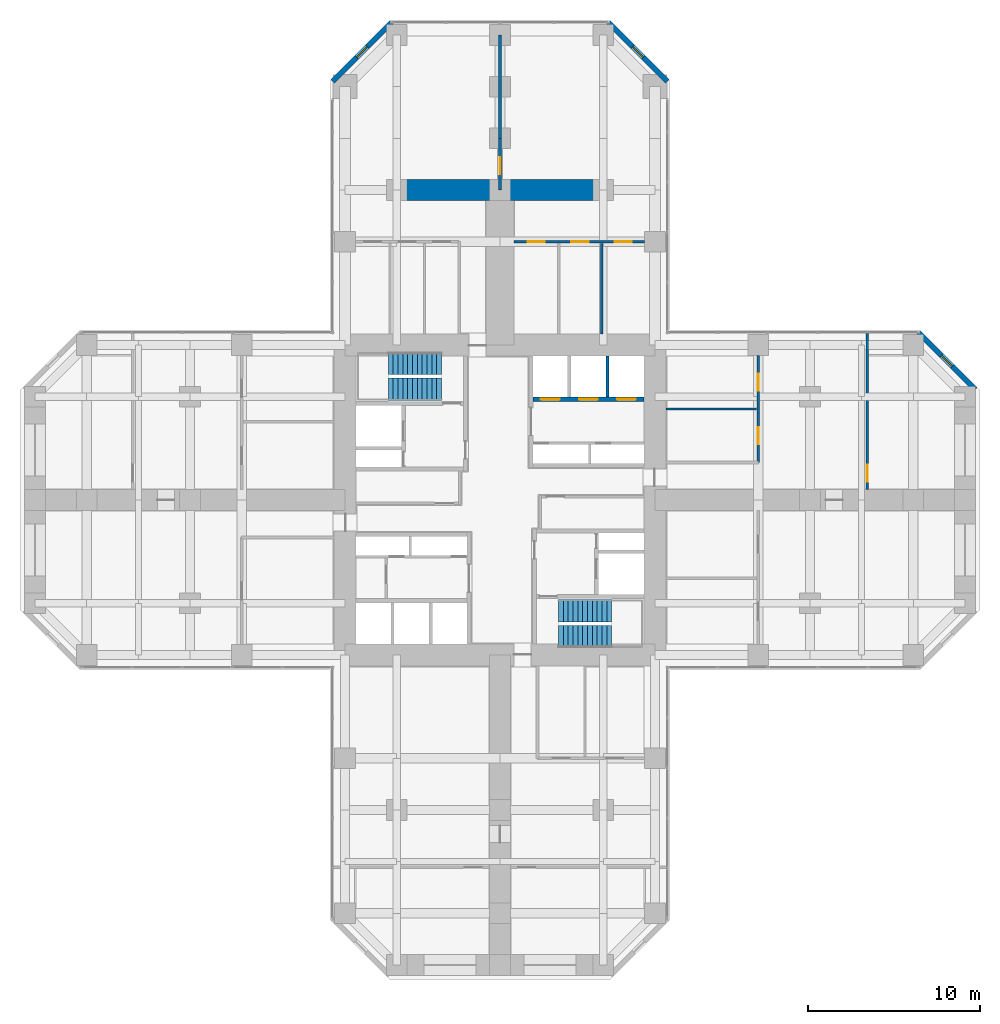
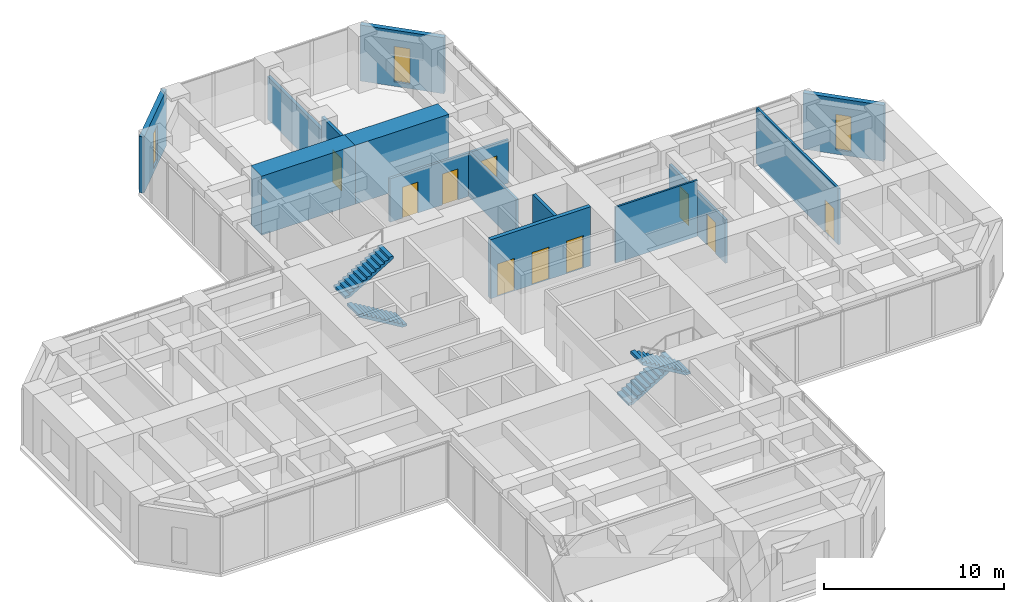
# One storey, part 11 of 12: 14 walls, 10 doors, 4 stair flights, 3 windows, 13 openings, 2 elements without a shape of their own.
"""IFC4 building model written with IfcOpenShell, lengths in metres."""

from ifc_helpers import new_model, si_unit, direction, frame, frame_2d, origin, place, context, subcontext, project, spatial, polyline, rectangle, hollow_rectangle, outline, extrude, material, layer, layer_set, constituent, constituent_set, type_object, element, fill, aggregate, save


model = new_model("IFC4")

# Units and contexts
model_context = context("Model", 3, precision=1e-05, world=origin(), true_north=direction((0.0, 1.0)))
body_context = subcontext(model_context, "Body", "Model", "MODEL_VIEW")
ifc_project = project(units=[si_unit("LENGTHUNIT", "METRE"), si_unit("AREAUNIT", "SQUARE_METRE"), si_unit("VOLUMEUNIT", "CUBIC_METRE"), si_unit("PLANEANGLEUNIT", "RADIAN"), si_unit("MASSUNIT", "GRAM", prefix="KILO")], contexts=[model_context])

# Site, building, storey
site_placement = place(None, origin())
site = spatial("IfcSite", under=ifc_project, at=site_placement, CompositionType="ELEMENT")
building_placement = place(site_placement, origin())
building = spatial("IfcBuilding", under=site, at=building_placement, Name="Torre Cruceta", CompositionType="ELEMENT")
storey_placement = place(building_placement, frame((0.0, 0.0, 83.5)))
storey = spatial("IfcBuildingStorey", under=building, at=storey_placement, Name="L20", CompositionType="ELEMENT", Elevation=83.5)

# Wall, openings, doors
ifc_material_1 = material(Name="Concrete G60 (fck 60 MPa)", Category="concrete")
ifc_layer_1 = layer(ifc_material_1, 0.25)
ifc_layer_set_1 = layer_set([ifc_layer_1], Name="Concrete G60 (fck 60 MPa)")
wall_type_1 = type_object("IfcWallType", Name="CORE INNER WALL 250 G60", PredefinedType="SHEAR", material=ifc_layer_set_1)
wall_1_placement = place(storey_placement, frame((1.925048828125, 5.85009765625, 0.0), z_axis=(0.0, 0.0, 1.0), x_axis=(1.0, 0.0, 0.0)))
wall_1 = element("IfcWall", 1, at=wall_1_placement, inside=storey, type_object=wall_type_1, Name="CW4 L20 NE-LV", PredefinedType="SHEAR", context=body_context, shape_type="SweptSolid", body=[
    extrude(rectangle(XDim=6.425048828125, YDim=0.25, at=frame_2d((3.21240234375, 0.0))), origin(), (0.0, 0.0, 1.0), 4.0),
])
opening_1_placement = place(wall_1_placement, frame((0.4541015625, 0.0, 0.0)))
opening_1 = element("IfcOpeningElement", 2, at=opening_1_placement, cuts=wall_1, Name="Opening LD1", PredefinedType="OPENING", context=body_context, shape_type="SweptSolid", body=[
    extrude(rectangle(XDim=1.10009765625, YDim=2.199951171875, at=frame_2d((0.550048828125, 1.10009765625))), frame((0.0, 0.135009765625, 0.0), z_axis=(0.0, -1.0, 0.0), x_axis=(1.0, 0.0, 0.0)), (0.0, 0.0, 1.0), 0.27001953125),
])
opening_2_placement = place(wall_1_placement, frame((2.66259765625, 0.0, 0.0)))
opening_2 = element("IfcOpeningElement", 3, at=opening_2_placement, cuts=wall_1, Name="Opening LD1", PredefinedType="OPENING", context=body_context, shape_type="SweptSolid", body=[
    extrude(rectangle(XDim=1.10009765625, YDim=2.199951171875, at=frame_2d((0.550048828125, 1.10009765625))), frame((0.0, 0.135009765625, 0.0), z_axis=(0.0, -1.0, 0.0), x_axis=(1.0, 0.0, 0.0)), (0.0, 0.0, 1.0), 0.27001953125),
])
opening_3_placement = place(wall_1_placement, frame((4.870849609375, 0.0, 0.0)))
opening_3 = element("IfcOpeningElement", 4, at=opening_3_placement, cuts=wall_1, Name="Opening LD1", PredefinedType="OPENING", context=body_context, shape_type="SweptSolid", body=[
    extrude(rectangle(XDim=1.10009765625, YDim=2.199951171875, at=frame_2d((0.550048828125, 1.10009765625))), frame((0.0, 0.135009765625, 0.0), z_axis=(0.0, -1.0, 0.0), x_axis=(1.0, 0.0, 0.0)), (0.0, 0.0, 1.0), 0.27001953125),
])
ifc_material_2 = material(Name="Stainless steel 1.4401", Category="steel")
door_type_1 = type_object("IfcDoorType", Name="LIFT LANDING DOOR 1100X2200", OperationType="DOUBLE_DOOR_SLIDING", PredefinedType="DOOR", material=ifc_material_2)
door_1_placement = place(opening_1_placement, origin())
door_1 = element("IfcDoor", 5, at=door_1_placement, inside=storey, type_object=door_type_1, Name="Lift landing door P1", OperationType="DOUBLE_DOOR_SLIDING", OverallHeight=2.199951171875, OverallWidth=1.10009765625, PredefinedType="DOOR", context=body_context, shape_type="SweptSolid", body=[
    extrude(rectangle(XDim=1.10009765625, YDim=2.199951171875, at=frame_2d((0.550048828125, 1.10009765625))), frame((0.0, 0.02490234375, 0.0), z_axis=(0.0, -1.0, 0.0), x_axis=(1.0, 0.0, 0.0)), (0.0, 0.0, 1.0), 0.050048828125),
])
fill(opening_1, door_1)
door_2_placement = place(opening_2_placement, origin())
door_2 = element("IfcDoor", 6, at=door_2_placement, inside=storey, type_object=door_type_1, Name="Lift landing door P2", OperationType="DOUBLE_DOOR_SLIDING", OverallHeight=2.199951171875, OverallWidth=1.10009765625, PredefinedType="DOOR", context=body_context, shape_type="SweptSolid", body=[
    extrude(rectangle(XDim=1.10009765625, YDim=2.199951171875, at=frame_2d((0.550048828125, 1.10009765625))), frame((0.0, 0.02490234375, 0.0), z_axis=(0.0, -1.0, 0.0), x_axis=(1.0, 0.0, 0.0)), (0.0, 0.0, 1.0), 0.050048828125),
])
fill(opening_2, door_2)
door_3_placement = place(opening_3_placement, origin())
door_3 = element("IfcDoor", 7, at=door_3_placement, inside=storey, type_object=door_type_1, Name="Lift landing door P3", OperationType="DOUBLE_DOOR_SLIDING", OverallHeight=2.199951171875, OverallWidth=1.10009765625, PredefinedType="DOOR", context=body_context, shape_type="SweptSolid", body=[
    extrude(rectangle(XDim=1.10009765625, YDim=2.199951171875, at=frame_2d((0.550048828125, 1.10009765625))), frame((0.0, 0.02490234375, 0.0), z_axis=(0.0, -1.0, 0.0), x_axis=(1.0, 0.0, 0.0)), (0.0, 0.0, 1.0), 0.050048828125),
])
fill(opening_3, door_3)

# Wall, opening, door
ifc_material_3 = material(Name="Concrete G25 (fck 25 MPa)", Category="concrete")
ifc_layer_2 = layer(ifc_material_3, 0.199951171875)
ifc_layer_set_2 = layer_set([ifc_layer_2], Name="Concrete G25 (fck 25 MPa)")
wall_type_2 = type_object("IfcWallType", Name="CORRIDOR WALL 200", PredefinedType="SOLIDWALL", material=ifc_layer_set_2)
wall_2_placement = place(storey_placement, frame((0.0, 18.0, 0.0), z_axis=(0.0, 0.0, 1.0), x_axis=(0.0, 1.0, 0.0)))
wall_2 = element("IfcWall", 8, at=wall_2_placement, inside=storey, type_object=wall_type_2, Name="PT3 spine line L20 N", PredefinedType="SOLIDWALL", context=body_context, shape_type="SweptSolid", body=[
    extrude(rectangle(XDim=3.0, YDim=0.199951171875, at=frame_2d((1.5, 0.0))), origin(), (0.0, 0.0, 1.0), 3.800048828125),
])
opening_4_placement = place(wall_2_placement, frame((0.89990234375, 0.0, 0.0)))
opening_4 = element("IfcOpeningElement", 9, at=opening_4_placement, cuts=wall_2, Name="Opening D14", PredefinedType="OPENING", context=body_context, shape_type="SweptSolid", body=[
    extrude(rectangle(XDim=1.0, YDim=2.199951171875, at=frame_2d((0.5, 1.10009765625))), frame((0.0, 0.10986328125, 0.0), z_axis=(0.0, -1.0, 0.0), x_axis=(1.0, 0.0, 0.0)), (0.0, 0.0, 1.0), 0.219970703125),
])
ifc_material_4 = material(Name="Steel DX51D", Category="steel")
ifc_constituent_1 = constituent(ifc_material_4, Name="Leaf and frame")
ifc_material_5 = material(Name="Polyester powder coating", Category="paint")
ifc_constituent_2 = constituent(ifc_material_5, Name="Finish")
ifc_material_6 = material(Name="Fire-resisting glass", Category="glass")
ifc_constituent_3 = constituent(ifc_material_6, Name="Vision panel")
ifc_constituent_set_1 = constituent_set(constituents=[ifc_constituent_1, ifc_constituent_2, ifc_constituent_3], Name="Steel fire door with vision panel")
door_type_2 = type_object("IfcDoorType", Name="FIRE DOOR VISION PANEL 1000X2200", OperationType="SINGLE_SWING_RIGHT", PredefinedType="DOOR", material=ifc_constituent_set_1)
door_4_placement = place(opening_4_placement, frame((1.0, 0.0, 0.0), z_axis=(0.0, 0.0, 1.0), x_axis=(-1.0, 0.0, 0.0)))
door_4 = element("IfcDoor", 10, at=door_4_placement, inside=storey, type_object=door_type_2, Name="D14 L20-N-SP1", OperationType="SINGLE_SWING_RIGHT", OverallHeight=2.199951171875, OverallWidth=1.0, PredefinedType="DOOR", context=body_context, shape_type="SweptSolid", body=[
    extrude(rectangle(XDim=1.0, YDim=2.199951171875, at=frame_2d((0.5, 1.10009765625))), frame((0.0, 0.025146484375, 0.0), z_axis=(0.0, -1.0, 0.0), x_axis=(1.0, 0.0, 0.0)), (0.0, 0.0, 1.0), 0.050048828125),
])
fill(opening_4, door_4)

# Walls
wall_3_placement = place(storey_placement, frame((0.0, 21.0, 0.0), z_axis=(0.0, 0.0, 1.0), x_axis=(0.0, 1.0, 0.0)))
element("IfcWall", 11, at=wall_3_placement, inside=storey, type_object=wall_type_2, Name="PT3 spine line L20 N 2", PredefinedType="SOLIDWALL", context=body_context, shape_type="SweptSolid", body=[
    extrude(rectangle(XDim=6.0, YDim=0.199951171875, at=frame_2d((3.0, 0.0))), origin(), (0.0, 0.0, 1.0), 2.89990234375),
])
ifc_material_7 = material(Name="Concrete G60 (fck 60 MPa)", Category="concrete")
ifc_layer_3 = layer(ifc_material_7, 1.199951171875)
ifc_layer_set_3 = layer_set([ifc_layer_3], Name="Concrete G60 (fck 60 MPa)")
wall_type_3 = type_object("IfcWallType", Name="CROSS WALL 1200 G60", PredefinedType="SHEAR", material=ifc_layer_set_3)
for number, where, z_axis, x_axis, name in (
    (12, (0.0, 18.0, 0.0), (0.0, 0.0, 1.0), (-1.0, 0.0, 0.0), "XW1 cross wall L20 N L"),
    (13, (0.0, 18.0, 0.0), (0.0, 0.0, 1.0), (1.0, 0.0, 0.0), "XW1 cross wall L20 N R"),
):
    element("IfcWall", number, at=place(storey_placement, frame(where, z_axis=z_axis, x_axis=x_axis)), inside=storey, type_object=wall_type_3, Name=name, PredefinedType="SHEAR", context=body_context, shape_type="SweptSolid", body=[
        extrude(rectangle(XDim=6.0, YDim=1.199951171875, at=frame_2d((3.0, 0.0))), origin(), (0.0, 0.0, 1.0), 4.0),
    ])

# Wall, opening, window
ifc_material_8 = material(Name="Concrete G30 (fck 30 MPa)", Category="concrete")
ifc_layer_4 = layer(ifc_material_8, 0.300048828125)
ifc_layer_set_4 = layer_set([ifc_layer_4], Name="Concrete G30 (fck 30 MPa)")
wall_type_4 = type_object("IfcWallType", Name="EXPOSED CONCRETE FACADE WALL 300", PredefinedType="SOLIDWALL", material=ifc_layer_set_4)
wall_4_placement = place(storey_placement, frame((27.60009765625, 6.418212890625, 0.0), z_axis=(0.0, 0.0, 1.0), x_axis=(-0.707106781187, 0.707106781187, 0.0)))
wall_4 = element("IfcWall", 14, at=wall_4_placement, inside=storey, type_object=wall_type_4, Name="EW1 facade wall L20 E chamfer 03", PredefinedType="SOLIDWALL", context=body_context, shape_type="SweptSolid", body=[
    extrude(rectangle(XDim=4.66943359375, YDim=0.300048828125, at=frame_2d((2.334716796875, 0.0))), origin(), (0.0, 0.0, 1.0), 3.800048828125),
])
opening_5_placement = place(wall_4_placement, frame((1.884765625, 0.0, 0.300048828125)))
opening_5 = element("IfcOpeningElement", 15, at=opening_5_placement, cuts=wall_4, Name="Opening WN5", PredefinedType="OPENING", context=body_context, shape_type="SweptSolid", body=[
    extrude(rectangle(XDim=0.89990234375, YDim=2.39990234375, at=frame_2d((0.449951171875, 1.199951171875))), frame((0.0, 0.159912109375, 0.0), z_axis=(0.0, -1.0, 0.0), x_axis=(1.0, 0.0, 0.0)), (0.0, 0.0, 1.0), 0.320068359375),
])
ifc_material_9 = material(Name="Aluminium window frame", Category="aluminium")
ifc_constituent_4 = constituent(ifc_material_9, Name="Frame")
ifc_material_10 = material(Name="Laminated insulating glass unit, low-iron clear", Category="glass")
ifc_constituent_5 = constituent(ifc_material_10, Name="Glazing")
ifc_constituent_set_2 = constituent_set(constituents=[ifc_constituent_4, ifc_constituent_5], Name="Aluminium window")
window_type = type_object("IfcWindowType", Name="CHAMFER SLOT WINDOW 900X2400", PartitioningType="SINGLE_PANEL", PredefinedType="WINDOW", material=ifc_constituent_set_2)
window_1_placement = place(opening_5_placement, origin())
window_1 = element("IfcWindow", 16, at=window_1_placement, inside=storey, type_object=window_type, Name="WN5 L20 E 1", OverallHeight=2.39990234375, OverallWidth=0.89990234375, PartitioningType="SINGLE_PANEL", PredefinedType="WINDOW", context=body_context, shape_type="SweptSolid", body=[
    extrude(hollow_rectangle(XDim=0.89990234375, YDim=2.39990234375, WallThickness=0.06005859375, at=frame_2d((0.449951171875, 1.199951171875))), frame((0.0, 0.030029296875, 0.0), z_axis=(0.0, -1.0, 0.0), x_axis=(1.0, 0.0, 0.0)), (0.0, 0.0, 1.0), 0.06005859375),
    extrude(rectangle(XDim=0.77880859375, YDim=2.27880859375, at=frame_2d((0.449951171875, 1.199951171875))), frame((0.0, 0.030029296875, 0.0), z_axis=(0.0, -1.0, 0.0), x_axis=(1.0, 0.0, 0.0)), (0.0, 0.0, 1.0), 0.06005859375),
])
fill(opening_5, window_1)

wall_5_placement = place(storey_placement, frame((9.719970703125, 24.29833984375, 0.0), z_axis=(0.0, 0.0, 1.0), x_axis=(-0.707106781187, 0.707106781187, 0.0)))
wall_5 = element("IfcWall", 17, at=wall_5_placement, inside=storey, type_object=wall_type_4, Name="EW1 facade wall L20 N chamfer 06", PredefinedType="SOLIDWALL", context=body_context, shape_type="SweptSolid", body=[
    extrude(rectangle(XDim=4.8388671875, YDim=0.300048828125, at=frame_2d((2.41943359375, 0.0))), origin(), (0.0, 0.0, 1.0), 3.800048828125),
])
opening_6_placement = place(wall_5_placement, frame((1.969482421875, 0.0, 0.300048828125)))
opening_6 = element("IfcOpeningElement", 18, at=opening_6_placement, cuts=wall_5, Name="Opening WN5", PredefinedType="OPENING", context=body_context, shape_type="SweptSolid", body=[
    extrude(rectangle(XDim=0.89990234375, YDim=2.39990234375, at=frame_2d((0.449951171875, 1.199951171875))), frame((0.0, 0.159912109375, 0.0), z_axis=(0.0, -1.0, 0.0), x_axis=(1.0, 0.0, 0.0)), (0.0, 0.0, 1.0), 0.320068359375),
])
window_2_placement = place(opening_6_placement, origin())
window_2 = element("IfcWindow", 19, at=window_2_placement, inside=storey, type_object=window_type, Name="WN5 L20 N 1", OverallHeight=2.39990234375, OverallWidth=0.89990234375, PartitioningType="SINGLE_PANEL", PredefinedType="WINDOW", context=body_context, shape_type="SweptSolid", body=[
    extrude(hollow_rectangle(XDim=0.89990234375, YDim=2.39990234375, WallThickness=0.06005859375, at=frame_2d((0.449951171875, 1.199951171875))), frame((0.0, 0.030029296875, 0.0), z_axis=(0.0, -1.0, 0.0), x_axis=(1.0, 0.0, 0.0)), (0.0, 0.0, 1.0), 0.06005859375),
    extrude(rectangle(XDim=0.77880859375, YDim=2.27880859375, at=frame_2d((0.449951171875, 1.199951171875))), frame((0.0, 0.030029296875, 0.0), z_axis=(0.0, -1.0, 0.0), x_axis=(1.0, 0.0, 0.0)), (0.0, 0.0, 1.0), 0.06005859375),
])
fill(opening_6, window_2)

wall_6_placement = place(storey_placement, frame((-6.29833984375, 27.719970703125, 0.0), z_axis=(0.0, 0.0, 1.0), x_axis=(-0.707106781187, -0.707106781187, 0.0)))
wall_6 = element("IfcWall", 20, at=wall_6_placement, inside=storey, type_object=wall_type_4, Name="EW1 facade wall L20 N chamfer 08", PredefinedType="SOLIDWALL", context=body_context, shape_type="SweptSolid", body=[
    extrude(rectangle(XDim=4.8388671875, YDim=0.300048828125, at=frame_2d((2.41943359375, 0.0))), origin(), (0.0, 0.0, 1.0), 3.800048828125),
])
opening_7_placement = place(wall_6_placement, frame((1.969482421875, 0.0, 0.300048828125)))
opening_7 = element("IfcOpeningElement", 21, at=opening_7_placement, cuts=wall_6, Name="Opening WN5", PredefinedType="OPENING", context=body_context, shape_type="SweptSolid", body=[
    extrude(rectangle(XDim=0.89990234375, YDim=2.39990234375, at=frame_2d((0.449951171875, 1.199951171875))), frame((0.0, 0.159912109375, 0.0), z_axis=(0.0, -1.0, 0.0), x_axis=(1.0, 0.0, 0.0)), (0.0, 0.0, 1.0), 0.320068359375),
])
window_3_placement = place(opening_7_placement, origin())
window_3 = element("IfcWindow", 22, at=window_3_placement, inside=storey, type_object=window_type, Name="WN5 L20 N 1", OverallHeight=2.39990234375, OverallWidth=0.89990234375, PartitioningType="SINGLE_PANEL", PredefinedType="WINDOW", context=body_context, shape_type="SweptSolid", body=[
    extrude(hollow_rectangle(XDim=0.89990234375, YDim=2.39990234375, WallThickness=0.06005859375, at=frame_2d((0.449951171875, 1.199951171875))), frame((0.0, 0.030029296875, 0.0), z_axis=(0.0, -1.0, 0.0), x_axis=(1.0, 0.0, 0.0)), (0.0, 0.0, 1.0), 0.06005859375),
    extrude(rectangle(XDim=0.77880859375, YDim=2.27880859375, at=frame_2d((0.449951171875, 1.199951171875))), frame((0.0, 0.030029296875, 0.0), z_axis=(0.0, -1.0, 0.0), x_axis=(1.0, 0.0, 0.0)), (0.0, 0.0, 1.0), 0.06005859375),
])
fill(opening_7, window_3)

# Wall
ifc_material_11 = material(Name="Concrete G35 (fck 35 MPa)", Category="concrete")
ifc_layer_5 = layer(ifc_material_11, 0.199951171875)
ifc_layer_set_5 = layer_set([ifc_layer_5], Name="Concrete G35 (fck 35 MPa)")
wall_type_5 = type_object("IfcWallType", Name="LIFT SHAFT WALL 200", PredefinedType="PARTITIONING", material=ifc_layer_set_5)
wall_7_placement = place(storey_placement, frame((6.24169921875, 5.97509765625, 0.0), z_axis=(0.0, 0.0, 1.0), x_axis=(0.0, 1.0, 0.0)))
element("IfcWall", 23, at=wall_7_placement, inside=storey, type_object=wall_type_5, Name="SW1 L20 NE-LS2", PredefinedType="PARTITIONING", context=body_context, shape_type="SweptSolid", body=[
    extrude(rectangle(XDim=2.375, YDim=0.199951171875, at=frame_2d((1.1875, 0.0))), origin(), (0.0, 0.0, 1.0), 4.0),
])

# Wall, openings, doors
ifc_material_12 = material(Name="Plasterboard on steel studs", Category="steel")
ifc_layer_6 = layer(ifc_material_12, 0.14990234375)
ifc_layer_set_6 = layer_set([ifc_layer_6], Name="Plasterboard on steel studs")
wall_type_6 = type_object("IfcWallType", Name="PARTITION 150", PredefinedType="PARTITIONING", material=ifc_layer_set_6)
wall_8_placement = place(storey_placement, frame((8.39990234375, 15.0, 0.0), z_axis=(0.0, 0.0, 1.0), x_axis=(-1.0, 0.0, 0.0)))
wall_8 = element("IfcWall", 24, at=wall_8_placement, inside=storey, type_object=wall_type_6, Name="PT1 L20-N-BFR", PredefinedType="PARTITIONING", context=body_context, shape_type="SweptSolid", body=[
    extrude(rectangle(XDim=7.599853515625, YDim=0.14990234375, at=frame_2d((3.7998046875, 0.0))), origin(), (0.0, 0.0, 1.0), 2.949951171875),
])
opening_8_placement = place(wall_8_placement, frame((0.75, 0.0, 0.0)))
opening_8 = element("IfcOpeningElement", 25, at=opening_8_placement, cuts=wall_8, Name="Opening D3", PredefinedType="OPENING", context=body_context, shape_type="SweptSolid", body=[
    extrude(rectangle(XDim=1.0, YDim=2.10009765625, at=frame_2d((0.5, 1.050048828125))), frame((0.0, 0.0849609375, 0.0), z_axis=(0.0, -1.0, 0.0), x_axis=(1.0, 0.0, 0.0)), (0.0, 0.0, 1.0), 0.169921875),
])
opening_9_placement = place(wall_8_placement, frame((3.25, 0.0, 0.0)))
opening_9 = element("IfcOpeningElement", 26, at=opening_9_placement, cuts=wall_8, Name="Opening D3", PredefinedType="OPENING", context=body_context, shape_type="SweptSolid", body=[
    extrude(rectangle(XDim=1.0, YDim=2.10009765625, at=frame_2d((0.5, 1.050048828125))), frame((0.0, 0.0849609375, 0.0), z_axis=(0.0, -1.0, 0.0), x_axis=(1.0, 0.0, 0.0)), (0.0, 0.0, 1.0), 0.169921875),
])
opening_10_placement = place(wall_8_placement, frame((5.800048828125, 0.0, 0.0)))
opening_10 = element("IfcOpeningElement", 27, at=opening_10_placement, cuts=wall_8, Name="Opening D3", PredefinedType="OPENING", context=body_context, shape_type="SweptSolid", body=[
    extrude(rectangle(XDim=1.0, YDim=2.10009765625, at=frame_2d((0.5, 1.050048828125))), frame((0.0, 0.0849609375, 0.0), z_axis=(0.0, -1.0, 0.0), x_axis=(1.0, 0.0, 0.0)), (0.0, 0.0, 1.0), 0.169921875),
])
ifc_material_13 = material(Name="Steel DX51D", Category="steel")
ifc_constituent_6 = constituent(ifc_material_13, Name="Leaf and frame")
ifc_material_14 = material(Name="Polyester powder coating", Category="paint")
ifc_constituent_7 = constituent(ifc_material_14, Name="Finish")
ifc_constituent_set_3 = constituent_set(constituents=[ifc_constituent_6, ifc_constituent_7], Name="Steel fire door")
door_type_3 = type_object("IfcDoorType", Name="FIRE DOOR 1000X2100", OperationType="SINGLE_SWING_LEFT", PredefinedType="DOOR", material=ifc_constituent_set_3)
door_5_placement = place(opening_8_placement, origin())
door_5 = element("IfcDoor", 28, at=door_5_placement, inside=storey, type_object=door_type_3, Name="D3 L20-N-BFR-D1", OperationType="SINGLE_SWING_RIGHT", OverallHeight=2.10009765625, OverallWidth=1.0, PredefinedType="DOOR", context=body_context, shape_type="SweptSolid", body=[
    extrude(rectangle(XDim=1.0, YDim=2.10009765625, at=frame_2d((0.5, 1.050048828125))), frame((0.0, 0.02490234375, 0.0), z_axis=(0.0, -1.0, 0.0), x_axis=(1.0, 0.0, 0.0)), (0.0, 0.0, 1.0), 0.050048828125),
])
fill(opening_8, door_5)
door_6_placement = place(opening_9_placement, origin())
door_6 = element("IfcDoor", 29, at=door_6_placement, inside=storey, type_object=door_type_3, Name="D3 L20-N-BFR-D2", OperationType="SINGLE_SWING_LEFT", OverallHeight=2.10009765625, OverallWidth=1.0, PredefinedType="DOOR", context=body_context, shape_type="SweptSolid", body=[
    extrude(rectangle(XDim=1.0, YDim=2.10009765625, at=frame_2d((0.5, 1.050048828125))), frame((0.0, 0.02490234375, 0.0), z_axis=(0.0, -1.0, 0.0), x_axis=(1.0, 0.0, 0.0)), (0.0, 0.0, 1.0), 0.050048828125),
])
fill(opening_9, door_6)
door_7_placement = place(opening_10_placement, origin())
door_7 = element("IfcDoor", 30, at=door_7_placement, inside=storey, type_object=door_type_3, Name="D3 L20-N-BFR-D3", OperationType="SINGLE_SWING_LEFT", OverallHeight=2.10009765625, OverallWidth=1.0, PredefinedType="DOOR", context=body_context, shape_type="SweptSolid", body=[
    extrude(rectangle(XDim=1.0, YDim=2.10009765625, at=frame_2d((0.5, 1.050048828125))), frame((0.0, 0.02490234375, 0.0), z_axis=(0.0, -1.0, 0.0), x_axis=(1.0, 0.0, 0.0)), (0.0, 0.0, 1.0), 0.050048828125),
])
fill(opening_10, door_7)

# Wall
wall_9_placement = place(storey_placement, frame((5.89990234375, 9.64990234375, 0.0), z_axis=(0.0, 0.0, 1.0), x_axis=(0.0, 1.0, 0.0)))
element("IfcWall", 31, at=wall_9_placement, inside=storey, type_object=wall_type_6, Name="PT1 L20-N-BDR2", PredefinedType="PARTITIONING", context=body_context, shape_type="SweptSolid", body=[
    extrude(rectangle(XDim=5.25, YDim=0.14990234375, at=frame_2d((2.625, 0.0))), origin(), (0.0, 0.0, 1.0), 3.0),
])

# Wall, openings, doors
wall_10_placement = place(storey_placement, frame((15.0, 2.175048828125, 0.0), z_axis=(0.0, 0.0, 1.0), x_axis=(0.0, 1.0, 0.0)))
wall_10 = element("IfcWall", 32, at=wall_10_placement, inside=storey, type_object=wall_type_6, Name="PT1 L20-E-BFL", PredefinedType="PARTITIONING", context=body_context, shape_type="SweptSolid", body=[
    extrude(rectangle(XDim=6.224853515625, YDim=0.14990234375, at=frame_2d((3.1123046875, 0.0))), origin(), (0.0, 0.0, 1.0), 2.949951171875),
])
opening_11_placement = place(wall_10_placement, frame((1.05615234375, 0.0, 0.0)))
opening_11 = element("IfcOpeningElement", 33, at=opening_11_placement, cuts=wall_10, Name="Opening D3", PredefinedType="OPENING", context=body_context, shape_type="SweptSolid", body=[
    extrude(rectangle(XDim=1.0, YDim=2.10009765625, at=frame_2d((0.5, 1.050048828125))), frame((0.0, 0.0849609375, 0.0), z_axis=(0.0, -1.0, 0.0), x_axis=(1.0, 0.0, 0.0)), (0.0, 0.0, 1.0), 0.169921875),
])
opening_12_placement = place(wall_10_placement, frame((4.168701171875, 0.0, 0.0)))
opening_12 = element("IfcOpeningElement", 34, at=opening_12_placement, cuts=wall_10, Name="Opening D3", PredefinedType="OPENING", context=body_context, shape_type="SweptSolid", body=[
    extrude(rectangle(XDim=1.0, YDim=2.10009765625, at=frame_2d((0.5, 1.050048828125))), frame((0.0, 0.0849609375, 0.0), z_axis=(0.0, -1.0, 0.0), x_axis=(1.0, 0.0, 0.0)), (0.0, 0.0, 1.0), 0.169921875),
])
door_8_placement = place(opening_11_placement, origin())
door_8 = element("IfcDoor", 35, at=door_8_placement, inside=storey, type_object=door_type_3, Name="D3 L20-E-BFL-D1", OperationType="SINGLE_SWING_LEFT", OverallHeight=2.10009765625, OverallWidth=1.0, PredefinedType="DOOR", context=body_context, shape_type="SweptSolid", body=[
    extrude(rectangle(XDim=1.0, YDim=2.10009765625, at=frame_2d((0.5, 1.050048828125))), frame((0.0, 0.02490234375, 0.0), z_axis=(0.0, -1.0, 0.0), x_axis=(1.0, 0.0, 0.0)), (0.0, 0.0, 1.0), 0.050048828125),
])
fill(opening_11, door_8)
door_9_placement = place(opening_12_placement, origin())
door_9 = element("IfcDoor", 36, at=door_9_placement, inside=storey, type_object=door_type_3, Name="D3 L20-E-BFL-D2", OperationType="SINGLE_SWING_LEFT", OverallHeight=2.10009765625, OverallWidth=1.0, PredefinedType="DOOR", context=body_context, shape_type="SweptSolid", body=[
    extrude(rectangle(XDim=1.0, YDim=2.10009765625, at=frame_2d((0.5, 1.050048828125))), frame((0.0, 0.02490234375, 0.0), z_axis=(0.0, -1.0, 0.0), x_axis=(1.0, 0.0, 0.0)), (0.0, 0.0, 1.0), 0.050048828125),
])
fill(opening_12, door_9)

# Wall, opening, door
wall_11_placement = place(storey_placement, frame((21.320068359375, 0.60009765625, 0.0), z_axis=(0.0, 0.0, 1.0), x_axis=(0.0, 1.0, 0.0)))
wall_11 = element("IfcWall", 37, at=wall_11_placement, inside=storey, type_object=wall_type_6, Name="PT1 L20-E-TWL", PredefinedType="PARTITIONING", context=body_context, shape_type="SweptSolid", body=[
    extrude(rectangle(XDim=9.079833984375, YDim=0.14990234375, at=frame_2d((4.5400390625, 0.0))), origin(), (0.0, 0.0, 1.0), 3.800048828125),
])
opening_13_placement = place(wall_11_placement, frame((0.449951171875, 0.0, 0.0)))
opening_13 = element("IfcOpeningElement", 38, at=opening_13_placement, cuts=wall_11, Name="Opening D14", PredefinedType="OPENING", context=body_context, shape_type="SweptSolid", body=[
    extrude(rectangle(XDim=1.0, YDim=2.199951171875, at=frame_2d((0.5, 1.10009765625))), frame((0.0, 0.0849609375, 0.0), z_axis=(0.0, -1.0, 0.0), x_axis=(1.0, 0.0, 0.0)), (0.0, 0.0, 1.0), 0.169921875),
])
door_10_placement = place(opening_13_placement, frame((1.0, 0.0, 0.0), z_axis=(0.0, 0.0, 1.0), x_axis=(-1.0, 0.0, 0.0)))
door_10 = element("IfcDoor", 39, at=door_10_placement, inside=storey, type_object=door_type_2, Name="D14 L20-E-TWL-D1", OperationType="SINGLE_SWING_RIGHT", OverallHeight=2.199951171875, OverallWidth=1.0, PredefinedType="DOOR", context=body_context, shape_type="SweptSolid", body=[
    extrude(rectangle(XDim=1.0, YDim=2.199951171875, at=frame_2d((0.5, 1.10009765625))), frame((0.0, 0.025146484375, 0.0), z_axis=(0.0, -1.0, 0.0), x_axis=(1.0, 0.0, 0.0)), (0.0, 0.0, 1.0), 0.050048828125),
])
fill(opening_13, door_10)

# Wall
ifc_material_15 = material(Name="Plasterboard on steel studs", Category="steel")
ifc_layer_7 = layer(ifc_material_15, 0.1201171875)
ifc_layer_set_7 = layer_set([ifc_layer_7], Name="Plasterboard on steel studs")
wall_type_7 = type_object("IfcWallType", Name="WC PARTITION 120", PredefinedType="PLUMBINGWALL", material=ifc_layer_set_7)
wall_12_placement = place(storey_placement, frame((9.64990234375, 5.28759765625, 0.0), z_axis=(0.0, 0.0, 1.0), x_axis=(1.0, 0.0, 0.0)))
element("IfcWall", 40, at=wall_12_placement, inside=storey, type_object=wall_type_7, Name="PT5 L20-E-BDL1", PredefinedType="PLUMBINGWALL", context=body_context, shape_type="SweptSolid", body=[
    extrude(rectangle(XDim=5.25, YDim=0.1201171875, at=frame_2d((2.625, 0.0))), origin(), (0.0, 0.0, 1.0), 3.800048828125),
])

# Stair, stair flights
ifc_material_16 = material(Name="Concrete G30 (fck 30 MPa)", Category="concrete")
stair_type = type_object("IfcStairType", Name="STAIR HALF-TURN 1300", PredefinedType="HALF_TURN_STAIR", material=ifc_material_16)
stair_1_placement = place(storey_placement, origin())
stair_1 = element("IfcStair", 41, at=stair_1_placement, inside=storey, type_object=stair_type, Name="Stair ST1 L20", PredefinedType="HALF_TURN_STAIR")
ifc_material_17 = material(Name="Concrete G30 (fck 30 MPa)", Category="concrete")
stair_flight_type = type_object("IfcStairFlightType", Name="STAIR FLIGHT 1300", PredefinedType="STRAIGHT", material=ifc_material_17)
stair_flight_1_placement = place(storey_placement, frame((-3.39990234375, 6.425048828125, 0.0), z_axis=(0.0, 0.0, 1.0), x_axis=(-1.0, 0.0, 0.0)))
stair_flight_1 = element("IfcStairFlight", 42, at=stair_flight_1_placement, type_object=stair_flight_type, Name="ST1 flight 1", NumberOfRisers=12, NumberOfTreads=11, PredefinedType="STRAIGHT", RiserHeight=0.166666667, TreadLength=0.28, context=body_context, shape_type="SweptSolid", body=[
    extrude(outline(polyline([(0.0, 0.0), (0.0, 0.166748046875), (0.280029296875, 0.166748046875), (0.280029296875, 0.333251953125), (0.56005859375, 0.333251953125), (0.56005859375, 0.5), (0.840087890625, 0.5), (0.840087890625, 0.666748046875), (1.1201171875, 0.666748046875), (1.1201171875, 0.833251953125), (1.39990234375, 0.833251953125), (1.39990234375, 1.0), (1.679931640625, 1.0), (1.679931640625, 1.166748046875), (1.9599609375, 1.166748046875), (1.9599609375, 1.333251953125), (2.239990234375, 1.333251953125), (2.239990234375, 1.5), (2.52001953125, 1.5), (2.52001953125, 1.666748046875), (2.800048828125, 1.666748046875), (2.800048828125, 1.833251953125), (3.080078125, 1.833251953125), (3.080078125, 2.0), (3.080078125, 1.658935546875), (0.29296875, 0.0), (0.0, 0.0)])), frame((0.0, 0.64990234375, 0.0), z_axis=(0.0, -1.0, 0.0), x_axis=(1.0, 0.0, 0.0)), (0.0, 0.0, 1.0), 1.300048828125),
])
stair_flight_2_placement = place(storey_placement, frame((-6.47998046875, 7.925048828125, 2.0), z_axis=(0.0, 0.0, 1.0), x_axis=(1.0, 0.0, 0.0)))
stair_flight_2 = element("IfcStairFlight", 43, at=stair_flight_2_placement, type_object=stair_flight_type, Name="ST1 flight 2", NumberOfRisers=12, NumberOfTreads=11, PredefinedType="STRAIGHT", RiserHeight=0.166666667, TreadLength=0.28, context=body_context, shape_type="SweptSolid", body=[
    extrude(outline(polyline([(0.0, 0.0), (0.0, 0.166748046875), (0.280029296875, 0.166748046875), (0.280029296875, 0.333251953125), (0.56005859375, 0.333251953125), (0.56005859375, 0.5), (0.840087890625, 0.5), (0.840087890625, 0.666748046875), (1.1201171875, 0.666748046875), (1.1201171875, 0.833251953125), (1.39990234375, 0.833251953125), (1.39990234375, 1.0), (1.679931640625, 1.0), (1.679931640625, 1.166748046875), (1.9599609375, 1.166748046875), (1.9599609375, 1.333251953125), (2.239990234375, 1.333251953125), (2.239990234375, 1.5), (2.52001953125, 1.5), (2.52001953125, 1.666748046875), (2.800048828125, 1.666748046875), (2.800048828125, 1.833251953125), (3.080078125, 1.833251953125), (3.080078125, 2.0), (3.080078125, 1.658935546875), (0.29296875, 0.0), (0.0, 0.0)])), frame((0.0, 0.64990234375, 0.0), z_axis=(0.0, -1.0, 0.0), x_axis=(1.0, 0.0, 0.0)), (0.0, 0.0, 1.0), 1.300048828125),
])
aggregate(stair_1, [stair_flight_1, stair_flight_2])

stair_2_placement = place(storey_placement, origin())
stair_2 = element("IfcStair", 44, at=stair_2_placement, inside=storey, type_object=stair_type, Name="Stair ST2 L20", PredefinedType="HALF_TURN_STAIR")
stair_flight_3_placement = place(storey_placement, frame((3.39990234375, -6.425048828125, 0.0), z_axis=(0.0, 0.0, 1.0), x_axis=(1.0, 0.0, 0.0)))
stair_flight_3 = element("IfcStairFlight", 45, at=stair_flight_3_placement, type_object=stair_flight_type, Name="ST2 flight 1", NumberOfRisers=12, NumberOfTreads=11, PredefinedType="STRAIGHT", RiserHeight=0.166666667, TreadLength=0.28, context=body_context, shape_type="SweptSolid", body=[
    extrude(outline(polyline([(0.0, 0.0), (0.0, 0.166748046875), (0.280029296875, 0.166748046875), (0.280029296875, 0.333251953125), (0.56005859375, 0.333251953125), (0.56005859375, 0.5), (0.840087890625, 0.5), (0.840087890625, 0.666748046875), (1.1201171875, 0.666748046875), (1.1201171875, 0.833251953125), (1.39990234375, 0.833251953125), (1.39990234375, 1.0), (1.679931640625, 1.0), (1.679931640625, 1.166748046875), (1.9599609375, 1.166748046875), (1.9599609375, 1.333251953125), (2.239990234375, 1.333251953125), (2.239990234375, 1.5), (2.52001953125, 1.5), (2.52001953125, 1.666748046875), (2.800048828125, 1.666748046875), (2.800048828125, 1.833251953125), (3.080078125, 1.833251953125), (3.080078125, 2.0), (3.080078125, 1.658935546875), (0.29296875, 0.0), (0.0, 0.0)])), frame((0.0, 0.64990234375, 0.0), z_axis=(0.0, -1.0, 0.0), x_axis=(1.0, 0.0, 0.0)), (0.0, 0.0, 1.0), 1.300048828125),
])
stair_flight_4_placement = place(storey_placement, frame((6.47998046875, -7.925048828125, 2.0), z_axis=(0.0, 0.0, 1.0), x_axis=(-1.0, 0.0, 0.0)))
stair_flight_4 = element("IfcStairFlight", 46, at=stair_flight_4_placement, type_object=stair_flight_type, Name="ST2 flight 2", NumberOfRisers=12, NumberOfTreads=11, PredefinedType="STRAIGHT", RiserHeight=0.166666667, TreadLength=0.28, context=body_context, shape_type="SweptSolid", body=[
    extrude(outline(polyline([(0.0, 0.0), (0.0, 0.166748046875), (0.280029296875, 0.166748046875), (0.280029296875, 0.333251953125), (0.56005859375, 0.333251953125), (0.56005859375, 0.5), (0.840087890625, 0.5), (0.840087890625, 0.666748046875), (1.1201171875, 0.666748046875), (1.1201171875, 0.833251953125), (1.39990234375, 0.833251953125), (1.39990234375, 1.0), (1.679931640625, 1.0), (1.679931640625, 1.166748046875), (1.9599609375, 1.166748046875), (1.9599609375, 1.333251953125), (2.239990234375, 1.333251953125), (2.239990234375, 1.5), (2.52001953125, 1.5), (2.52001953125, 1.666748046875), (2.800048828125, 1.666748046875), (2.800048828125, 1.833251953125), (3.080078125, 1.833251953125), (3.080078125, 2.0), (3.080078125, 1.658935546875), (0.29296875, 0.0), (0.0, 0.0)])), frame((0.0, 0.64990234375, 0.0), z_axis=(0.0, -1.0, 0.0), x_axis=(1.0, 0.0, 0.0)), (0.0, 0.0, 1.0), 1.300048828125),
])
aggregate(stair_2, [stair_flight_3, stair_flight_4])

save(model, "model.ifc")
